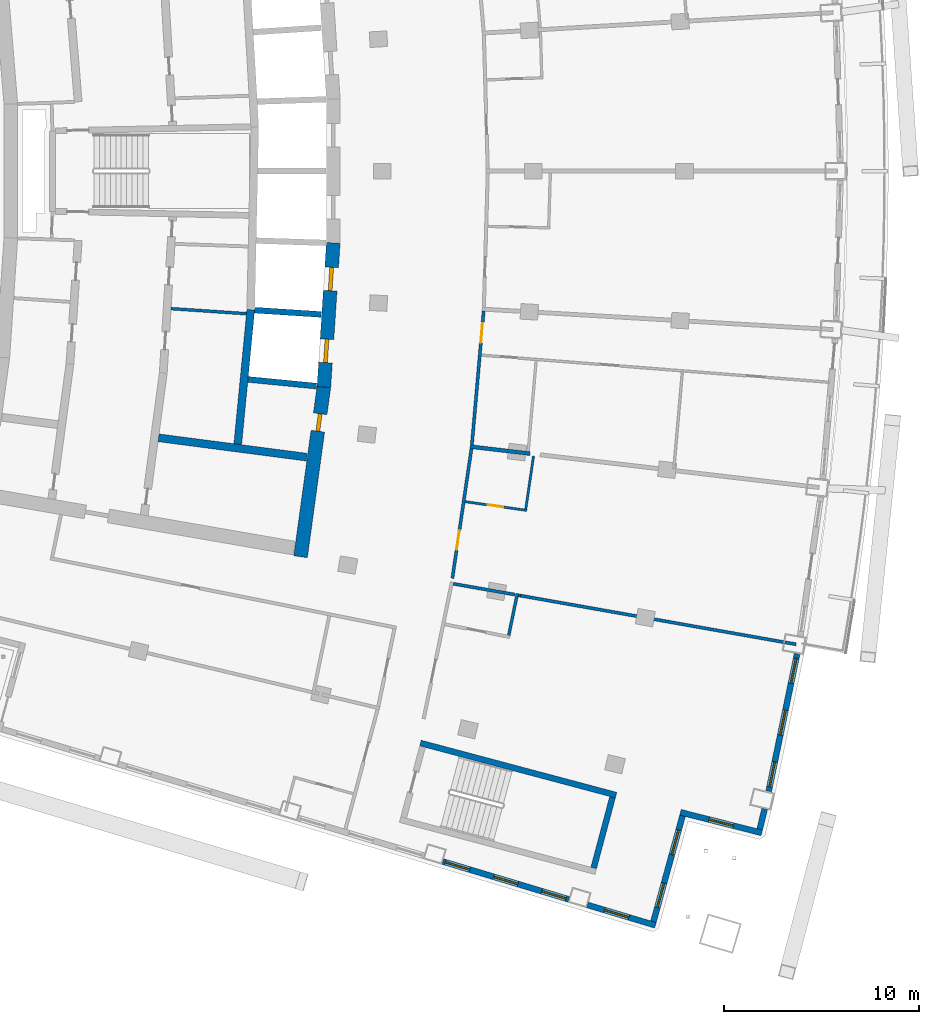
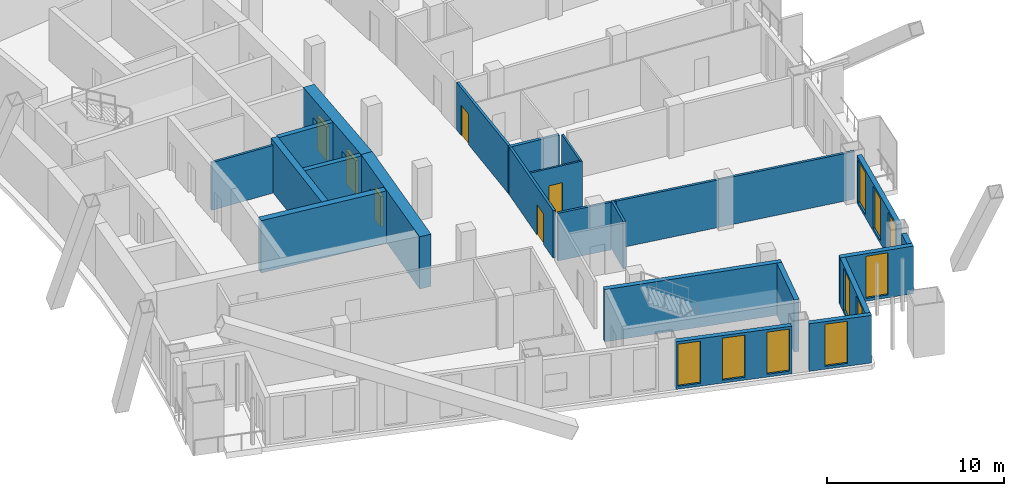
# One storey, part 11 of 19: 24 walls, 10 windows, 6 doors, 16 openings.
"""IFC4 building model written with IfcOpenShell, lengths in metres."""

from ifc_helpers import new_model, si_unit, direction, frame, frame_2d, origin, place, context, subcontext, project, spatial, rectangle, extrude, material, layer, layer_set, type_object, element, fill, save


model = new_model("IFC4")

# Units and contexts
model_context = context("Model", 3, precision=1e-05, world=origin(), true_north=direction((0.0, 1.0)))
body_context = subcontext(model_context, "Body", "Model", "MODEL_VIEW")
ifc_project = project(units=[si_unit("LENGTHUNIT", "METRE"), si_unit("AREAUNIT", "SQUARE_METRE"), si_unit("VOLUMEUNIT", "CUBIC_METRE"), si_unit("PLANEANGLEUNIT", "RADIAN"), si_unit("MASSUNIT", "GRAM", prefix="KILO")], contexts=[model_context])

# Site, building, storey
site_placement = place(None, origin())
site = spatial("IfcSite", under=ifc_project, at=site_placement, CompositionType="ELEMENT")
building_placement = place(site_placement, origin())
building = spatial("IfcBuilding", under=site, at=building_placement, Name="Alderwake Tower", CompositionType="ELEMENT")
storey_placement = place(building_placement, frame((0.0, 0.0, 171.199951171875)))
storey = spatial("IfcBuildingStorey", under=building, at=storey_placement, Name="L42", CompositionType="ELEMENT", Elevation=171.199951171875)

# Wall
ifc_material_1 = material(Name="Gypsum shaft wall system, rated")
ifc_layer_1 = layer(ifc_material_1, 0.14990234375)
ifc_layer_set_1 = layer_set([ifc_layer_1], Name="Core room partition 150")
wall_type_1 = type_object("IfcWallType", Name="Core room partition 150", PredefinedType="PARTITIONING", material=ifc_layer_set_1)
wall_1_placement = place(storey_placement, frame((24.990234375, 53.96142578125, 0.0), z_axis=(0.0, 0.0, 1.0), x_axis=(0.997758824467, -0.06691284031, 0.0)))
element("IfcWall", 1, at=wall_1_placement, inside=storey, type_object=wall_type_1, Name="CW/L42/PR-70_+86", PredefinedType="PARTITIONING", context=body_context, shape_type="SweptSolid", body=[
    extrude(rectangle(XDim=3.86767578125, YDim=0.14990234375, at=frame_2d((1.933837890625, 0.0))), origin(), (0.0, 0.0, 1.0), 3.280029296875),
])

# Wall, opening, door
ifc_material_2 = material(Name="Concrete C70/85", Category="concrete")
ifc_layer_2 = layer(ifc_material_2, 0.699951171875)
ifc_layer_set_2 = layer_set([ifc_layer_2], Name="Core wall outer 700 C70-85")
wall_type_2 = type_object("IfcWallType", Name="Core wall outer 700 C70-85", PredefinedType="SHEAR", material=ifc_layer_set_2)
wall_2_placement = place(storey_placement, frame((32.81298828125, 49.97412109375, 0.0), z_axis=(0.0, 0.0, 1.0), x_axis=(-0.135835706655, -0.99073137671, 0.0)))
wall_2 = element("IfcWall", 2, at=wall_2_placement, inside=storey, type_object=wall_type_2, Name="Core wall CW.012", PredefinedType="SHEAR", context=body_context, shape_type="SweptSolid", body=[
    extrude(rectangle(XDim=8.790771484375, YDim=0.699951171875, at=frame_2d((4.3955078125, 0.0))), origin(), (0.0, 0.0, 1.0), 3.60009765625),
])
opening_1_placement = place(wall_2_placement, frame((1.40478515625, 0.0, 0.0)))
opening_1 = element("IfcOpeningElement", 3, at=opening_1_placement, cuts=wall_2, Name="Opening C050", PredefinedType="OPENING", context=body_context, shape_type="SweptSolid", body=[
    extrude(rectangle(XDim=0.89990234375, YDim=2.10009765625, at=frame_2d((0.449951171875, 1.050048828125))), frame((0.0, 0.35986328125, 0.0), z_axis=(0.0, -1.0, 0.0), x_axis=(1.0, 0.0, 0.0)), (0.0, 0.0, 1.0), 0.719970703125),
])
ifc_material_3 = material(Name="Painted steel leaf", Category="steel")
door_type_1 = type_object("IfcDoorType", Name="Core room door 900", OperationType="SINGLE_SWING_LEFT", PredefinedType="DOOR", material=ifc_material_3)
door_1_placement = place(opening_1_placement, origin())
door_1 = element("IfcDoor", 4, at=door_1_placement, inside=storey, type_object=door_type_1, Name="Room door", OperationType="SINGLE_SWING_RIGHT", OverallHeight=2.10009765625, OverallWidth=0.89990234375, PredefinedType="DOOR", context=body_context, shape_type="SweptSolid", body=[
    extrude(rectangle(XDim=0.89990234375, YDim=2.10009765625, at=frame_2d((0.449951171875, 1.050048828125))), frame((0.0, 0.10009765625, 0.0), z_axis=(0.0, -1.0, 0.0), x_axis=(1.0, 0.0, 0.0)), (0.0, 0.0, 1.0), 0.199951171875),
])
fill(opening_1, door_1)

# Wall, openings, doors
wall_3_placement = place(storey_placement, frame((32.810302734375, 49.9482421875, 0.0), z_axis=(0.0, 0.0, 1.0), x_axis=(0.065009096017, 0.99788467141, 0.0)))
wall_3 = element("IfcWall", 5, at=wall_3_placement, inside=storey, type_object=wall_type_2, Name="Core wall CW.011", PredefinedType="SHEAR", context=body_context, shape_type="SweptSolid", body=[
    extrude(rectangle(XDim=7.39453125, YDim=0.699951171875, at=frame_2d((3.697265625, 0.0))), origin(), (0.0, 0.0, 1.0), 3.60009765625),
])
opening_2_placement = place(wall_3_placement, frame((1.255126953125, 0.0, 0.0)))
opening_2 = element("IfcOpeningElement", 6, at=opening_2_placement, cuts=wall_3, Name="Opening LD-HP1", PredefinedType="OPENING", context=body_context, shape_type="SweptSolid", body=[
    extrude(rectangle(XDim=1.199951171875, YDim=2.300048828125, at=frame_2d((0.60009765625, 1.14990234375))), frame((0.0, 0.35986328125, 0.0), z_axis=(0.0, -1.0, 0.0), x_axis=(1.0, 0.0, 0.0)), (0.0, 0.0, 1.0), 0.719970703125),
])
opening_3_placement = place(wall_3_placement, frame((4.9404296875, 0.0, 0.0)))
opening_3 = element("IfcOpeningElement", 7, at=opening_3_placement, cuts=wall_3, Name="Opening LD-HP2", PredefinedType="OPENING", context=body_context, shape_type="SweptSolid", body=[
    extrude(rectangle(XDim=1.199951171875, YDim=2.300048828125, at=frame_2d((0.60009765625, 1.14990234375))), frame((0.0, 0.35986328125, 0.0), z_axis=(0.0, -1.0, 0.0), x_axis=(1.0, 0.0, 0.0)), (0.0, 0.0, 1.0), 0.719970703125),
])
ifc_material_4 = material(Name="Stainless steel sliding leaf", Category="steel")
door_type_2 = type_object("IfcDoorType", Name="Lift landing door 1200", OperationType="SLIDING_TO_LEFT", PredefinedType="DOOR", material=ifc_material_4)
door_2_placement = place(opening_2_placement, origin())
door_2 = element("IfcDoor", 8, at=door_2_placement, inside=storey, type_object=door_type_2, Name="Lift landing door HP1", OperationType="SLIDING_TO_LEFT", OverallHeight=2.300048828125, OverallWidth=1.199951171875, PredefinedType="DOOR", context=body_context, shape_type="SweptSolid", body=[
    extrude(rectangle(XDim=1.199951171875, YDim=2.300048828125, at=frame_2d((0.60009765625, 1.14990234375))), frame((0.0, 0.10009765625, 0.0), z_axis=(0.0, -1.0, 0.0), x_axis=(1.0, 0.0, 0.0)), (0.0, 0.0, 1.0), 0.199951171875),
])
fill(opening_2, door_2)
door_3_placement = place(opening_3_placement, origin())
door_3 = element("IfcDoor", 9, at=door_3_placement, inside=storey, type_object=door_type_2, Name="Lift landing door HP2", OperationType="SLIDING_TO_LEFT", OverallHeight=2.300048828125, OverallWidth=1.199951171875, PredefinedType="DOOR", context=body_context, shape_type="SweptSolid", body=[
    extrude(rectangle(XDim=1.199951171875, YDim=2.300048828125, at=frame_2d((0.60009765625, 1.14990234375))), frame((0.0, 0.10009765625, 0.0), z_axis=(0.0, -1.0, 0.0), x_axis=(1.0, 0.0, 0.0)), (0.0, 0.0, 1.0), 0.199951171875),
])
fill(opening_3, door_3)

# Walls
ifc_material_5 = material(Name="Concrete C70/85", Category="concrete")
ifc_layer_3 = layer(ifc_material_5, 0.300048828125)
ifc_layer_set_3 = layer_set([ifc_layer_3], Name="Core wall shaft 300 C70-85")
wall_type_3 = type_object("IfcWallType", Name="Core wall shaft 300 C70-85", PredefinedType="SHEAR", material=ifc_layer_set_3)
wall_4_placement = place(storey_placement, frame((28.92529296875, 50.341552734375, 0.0), z_axis=(0.0, 0.0, 1.0), x_axis=(0.995245524877, -0.097397870674, 0.0)))
element("IfcWall", 10, at=wall_4_placement, inside=storey, type_object=wall_type_3, Name="Core wall CW.064", PredefinedType="SHEAR", context=body_context, shape_type="SweptSolid", body=[
    extrude(rectangle(XDim=3.5244140625, YDim=0.300048828125, at=frame_2d((1.76220703125, 0.0))), origin(), (0.0, 0.0, 1.0), 3.60009765625),
])
wall_5_placement = place(storey_placement, frame((29.268798828125, 53.884521484375, 0.0), z_axis=(0.0, 0.0, 1.0), x_axis=(0.997884450261, -0.065012490553, 0.0)))
element("IfcWall", 11, at=wall_5_placement, inside=storey, type_object=wall_type_3, Name="Core wall CW.078", PredefinedType="SHEAR", context=body_context, shape_type="SweptSolid", body=[
    extrude(rectangle(XDim=3.409912109375, YDim=0.300048828125, at=frame_2d((1.705078125, 0.0))), origin(), (0.0, 0.0, 1.0), 3.60009765625),
])
ifc_material_6 = material(Name="Concrete C70/85", Category="concrete")
ifc_layer_4 = layer(ifc_material_6, 0.39990234375)
ifc_layer_set_4 = layer_set([ifc_layer_4], Name="Core wall spine 400 C70-85")
wall_type_4 = type_object("IfcWallType", Name="Core wall spine 400 C70-85", PredefinedType="SHEAR", material=ifc_layer_set_4)
wall_6_placement = place(storey_placement, frame((28.402587890625, 47.0234375, 0.0), z_axis=(0.0, 0.0, 1.0), x_axis=(0.096500230077, 0.995332962177, 0.0)))
element("IfcWall", 12, at=wall_6_placement, inside=storey, type_object=wall_type_4, Name="Core wall CW.005", PredefinedType="SHEAR", context=body_context, shape_type="SweptSolid", body=[
    extrude(rectangle(XDim=6.914306640625, YDim=0.39990234375, at=frame_2d((3.45703125, 0.0))), origin(), (0.0, 0.0, 1.0), 3.60009765625),
])
wall_7_placement = place(storey_placement, frame((24.347900390625, 47.35205078125, 0.0), z_axis=(0.0, 0.0, 1.0), x_axis=(0.991554795689, -0.129688423329, 0.0)))
element("IfcWall", 13, at=wall_7_placement, inside=storey, type_object=wall_type_4, Name="Core wall CW.069", PredefinedType="SHEAR", context=body_context, shape_type="SweptSolid", body=[
    extrude(rectangle(XDim=7.650634765625, YDim=0.39990234375, at=frame_2d((3.8251953125, 0.0))), origin(), (0.0, 0.0, 1.0), 3.60009765625),
])
ifc_material_7 = material(Name="Concrete C70/85", Category="concrete")
ifc_layer_5 = layer(ifc_material_7, 0.300048828125)
ifc_layer_set_5 = layer_set([ifc_layer_5], Name="Core wall stair enclosure 300 C70-85")
wall_type_5 = type_object("IfcWallType", Name="Core wall stair enclosure 300 C70-85", PredefinedType="SHEAR", material=ifc_layer_set_5)
wall_8_placement = place(storey_placement, frame((37.75390625, 31.731201171875, 0.0), z_axis=(0.0, 0.0, 1.0), x_axis=(0.966309214305, -0.257383958996, 0.0)))
element("IfcWall", 14, at=wall_8_placement, inside=storey, type_object=wall_type_5, Name="Core wall CW.086", PredefinedType="SHEAR", context=body_context, shape_type="SweptSolid", body=[
    extrude(rectangle(XDim=10.360107421875, YDim=0.300048828125, at=frame_2d((5.18017578125, 0.0))), origin(), (0.0, 0.0, 1.0), 3.60009765625),
])
wall_9_placement = place(storey_placement, frame((46.6162109375, 25.334716796875, 0.0), z_axis=(0.0, 0.0, 1.0), x_axis=(0.257366821694, 0.966313778796, 0.0)))
element("IfcWall", 15, at=wall_9_placement, inside=storey, type_object=wall_type_5, Name="Core wall CW.085", PredefinedType="SHEAR", context=body_context, shape_type="SweptSolid", body=[
    extrude(rectangle(XDim=3.749755859375, YDim=0.300048828125, at=frame_2d((1.875, 0.0))), origin(), (0.0, 0.0, 1.0), 3.60009765625),
])

# Wall, opening, door
ifc_material_8 = material(Name="Gypsum board on metal studs, rated")
ifc_layer_6 = layer(ifc_material_8, 0.159912109375)
ifc_layer_set_6 = layer_set([ifc_layer_6], Name="Corridor wall 160")
wall_type_6 = type_object("IfcWallType", Name="Corridor wall 160", PredefinedType="PARTITIONING", material=ifc_layer_set_6)
wall_10_placement = place(storey_placement, frame((40.3623046875, 46.7939453125, 0.0), z_axis=(0.0, 0.0, 1.0), x_axis=(-0.145513909196, -0.989356205939, 0.0)))
wall_10 = element("IfcWall", 16, at=wall_10_placement, inside=storey, type_object=wall_type_6, Name="WL/L42/W26", PredefinedType="PARTITIONING", context=body_context, shape_type="SweptSolid", body=[
    extrude(rectangle(XDim=6.704345703125, YDim=0.159912109375, at=frame_2d((3.35205078125, 0.0))), origin(), (0.0, 0.0, 1.0), 3.280029296875),
])
opening_4_placement = place(wall_10_placement, frame((4.216552734375, 0.0, 0.0)))
opening_4 = element("IfcOpeningElement", 17, at=opening_4_placement, cuts=wall_10, Name="Opening R12-U03.1", PredefinedType="OPENING", context=body_context, shape_type="SweptSolid", body=[
    extrude(rectangle(XDim=1.0, YDim=2.10009765625, at=frame_2d((0.5, 1.050048828125))), frame((0.0, 0.08984375, 0.0), z_axis=(0.0, -1.0, 0.0), x_axis=(1.0, 0.0, 0.0)), (0.0, 0.0, 1.0), 0.179931640625),
])
ifc_material_9 = material(Name="Solid timber leaf in steel frame", Category="steel")
door_type_3 = type_object("IfcDoorType", Name="Flat entrance door 1000 fire-rated", OperationType="SINGLE_SWING_LEFT", PredefinedType="DOOR", material=ifc_material_9)
door_4_placement = place(opening_4_placement, origin())
door_4 = element("IfcDoor", 18, at=door_4_placement, inside=storey, type_object=door_type_3, Name="DR/L42/U03.1", OperationType="SINGLE_SWING_LEFT", OverallHeight=2.10009765625, OverallWidth=1.0, PredefinedType="DOOR", context=body_context, shape_type="SweptSolid", body=[
    extrude(rectangle(XDim=1.0, YDim=2.10009765625, at=frame_2d((0.5, 1.050048828125))), frame((0.0, 0.02490234375, 0.0), z_axis=(0.0, -1.0, 0.0), x_axis=(1.0, 0.0, 0.0)), (0.0, 0.0, 1.0), 0.050048828125),
])
fill(opening_4, door_4)

wall_11_placement = place(storey_placement, frame((40.986328125, 53.834228515625, 0.0), z_axis=(0.0, 0.0, 1.0), x_axis=(-0.087448731147, -0.996169021512, 0.0)))
wall_11 = element("IfcWall", 19, at=wall_11_placement, inside=storey, type_object=wall_type_6, Name="WL/L42/W28", PredefinedType="PARTITIONING", context=body_context, shape_type="SweptSolid", body=[
    extrude(rectangle(XDim=6.867919921875, YDim=0.159912109375, at=frame_2d((3.43408203125, 0.0))), origin(), (0.0, 0.0, 1.0), 3.280029296875),
])
opening_5_placement = place(wall_11_placement, frame((0.628173828125, 0.0, 0.0)))
opening_5 = element("IfcOpeningElement", 20, at=opening_5_placement, cuts=wall_11, Name="Opening R12-U04.2", PredefinedType="OPENING", context=body_context, shape_type="SweptSolid", body=[
    extrude(rectangle(XDim=1.0, YDim=2.10009765625, at=frame_2d((0.5, 1.050048828125))), frame((0.0, 0.08984375, 0.0), z_axis=(0.0, -1.0, 0.0), x_axis=(1.0, 0.0, 0.0)), (0.0, 0.0, 1.0), 0.179931640625),
])
door_5_placement = place(opening_5_placement, origin())
door_5 = element("IfcDoor", 21, at=door_5_placement, inside=storey, type_object=door_type_3, Name="DR/L42/U04.2", OperationType="SINGLE_SWING_LEFT", OverallHeight=2.10009765625, OverallWidth=1.0, PredefinedType="DOOR", context=body_context, shape_type="SweptSolid", body=[
    extrude(rectangle(XDim=1.0, YDim=2.10009765625, at=frame_2d((0.5, 1.050048828125))), frame((0.0, 0.02490234375, 0.0), z_axis=(0.0, -1.0, 0.0), x_axis=(1.0, 0.0, 0.0)), (0.0, 0.0, 1.0), 0.050048828125),
])
fill(opening_5, door_5)

# Walls
wall_12_placement = place(storey_placement, frame((42.579833984375, 39.328125, 0.0), z_axis=(0.0, 0.0, 1.0), x_axis=(-0.984863294771, 0.173332889587, 0.0)))
element("IfcWall", 22, at=wall_12_placement, inside=storey, type_object=wall_type_6, Name="WL/L42/W33", PredefinedType="PARTITIONING", context=body_context, shape_type="SweptSolid", body=[
    extrude(rectangle(XDim=3.201416015625, YDim=0.159912109375, at=frame_2d((1.6005859375, 0.0))), origin(), (0.0, 0.0, 1.0), 3.280029296875),
])
wall_13_placement = place(storey_placement, frame((42.8779296875, 39.2724609375, 0.0), z_axis=(0.0, 0.0, 1.0), x_axis=(-0.983295875598, 0.18201434293, 0.0)))
element("IfcWall", 23, at=wall_13_placement, inside=storey, type_object=wall_type_6, Name="WL/L42/W34", PredefinedType="PARTITIONING", context=body_context, shape_type="SweptSolid", body=[
    extrude(rectangle(XDim=0.11669921875, YDim=0.159912109375, at=frame_2d((0.058349609375, 0.0))), origin(), (0.0, 0.0, 1.0), 3.280029296875),
])
wall_14_placement = place(storey_placement, frame((56.97607421875, 36.782958984375, 0.0), z_axis=(0.0, 0.0, 1.0), x_axis=(-0.984749571154, 0.173977820748, 0.0)))
element("IfcWall", 24, at=wall_14_placement, inside=storey, type_object=wall_type_6, Name="WL/L42/W35", PredefinedType="PARTITIONING", context=body_context, shape_type="SweptSolid", body=[
    extrude(rectangle(XDim=14.326171875, YDim=0.159912109375, at=frame_2d((7.1630859375, 0.0))), origin(), (0.0, 0.0, 1.0), 3.280029296875),
])
ifc_material_10 = material(Name="Precast concrete C50/60 spandrel panel", Category="concrete")
ifc_layer_7 = layer(ifc_material_10, 0.300048828125)
ifc_layer_set_7 = layer_set([ifc_layer_7], Name="External wall EW1 Precast concrete C50/60 spandrel")
wall_type_7 = type_object("IfcWallType", Name="External wall EW1 Precast concrete C50/60 spandrel", PredefinedType="SOLIDWALL", material=ifc_layer_set_7)
wall_15_placement = place(storey_placement, frame((55.11181640625, 27.31591796875, 0.0), z_axis=(0.0, 0.0, 1.0), x_axis=(0.238310475887, 0.971189022324, 0.0)))
element("IfcWall", 25, at=wall_15_placement, inside=storey, type_object=wall_type_7, Name="External wall 11", PredefinedType="SOLIDWALL", context=body_context, shape_type="SweptSolid", body=[
    extrude(rectangle(XDim=1.07470703125, YDim=0.300048828125, at=frame_2d((0.537353515625, 0.0))), origin(), (0.0, 0.0, 1.0), 3.280029296875),
])

# Wall, openings, windows
wall_16_placement = place(storey_placement, frame((55.572509765625, 29.265625, 0.0), z_axis=(0.0, 0.0, 1.0), x_axis=(0.202713609839, 0.979238067268, 0.0)))
wall_16 = element("IfcWall", 26, at=wall_16_placement, inside=storey, type_object=wall_type_7, Name="External wall 12", PredefinedType="SOLIDWALL", context=body_context, shape_type="SweptSolid", body=[
    extrude(rectangle(XDim=7.175537109375, YDim=0.300048828125, at=frame_2d((3.587890625, 0.0))), origin(), (0.0, 0.0, 1.0), 3.280029296875),
])
opening_6_placement = place(wall_16_placement, frame((0.2353515625, 0.0, 0.199951171875)))
opening_6 = element("IfcOpeningElement", 27, at=opening_6_placement, cuts=wall_16, Name="Opening W1", PredefinedType="OPENING", context=body_context, shape_type="SweptSolid", body=[
    extrude(rectangle(XDim=1.300048828125, YDim=2.89990234375, at=frame_2d((0.64990234375, 1.449951171875))), frame((0.0, 0.159912109375, 0.0), z_axis=(0.0, -1.0, 0.0), x_axis=(1.0, 0.0, 0.0)), (0.0, 0.0, 1.0), 0.320068359375),
])
opening_7_placement = place(wall_16_placement, frame((2.937744140625, 0.0, 0.199951171875)))
opening_7 = element("IfcOpeningElement", 28, at=opening_7_placement, cuts=wall_16, Name="Opening W1", PredefinedType="OPENING", context=body_context, shape_type="SweptSolid", body=[
    extrude(rectangle(XDim=1.300048828125, YDim=2.89990234375, at=frame_2d((0.64990234375, 1.449951171875))), frame((0.0, 0.159912109375, 0.0), z_axis=(0.0, -1.0, 0.0), x_axis=(1.0, 0.0, 0.0)), (0.0, 0.0, 1.0), 0.320068359375),
])
opening_8_placement = place(wall_16_placement, frame((5.64013671875, 0.0, 0.199951171875)))
opening_8 = element("IfcOpeningElement", 29, at=opening_8_placement, cuts=wall_16, Name="Opening W1", PredefinedType="OPENING", context=body_context, shape_type="SweptSolid", body=[
    extrude(rectangle(XDim=1.300048828125, YDim=2.89990234375, at=frame_2d((0.64990234375, 1.449951171875))), frame((0.0, 0.159912109375, 0.0), z_axis=(0.0, -1.0, 0.0), x_axis=(1.0, 0.0, 0.0)), (0.0, 0.0, 1.0), 0.320068359375),
])
ifc_material_11 = material(Name="Bronze tinted glass in aluminium frame", Category="aluminium")
window_type = type_object("IfcWindowType", Name="Window W1 tall fixed and vent", PartitioningType="DOUBLE_PANEL_VERTICAL", PredefinedType="WINDOW", material=ifc_material_11)
window_1_placement = place(opening_6_placement, origin())
window_1 = element("IfcWindow", 30, at=window_1_placement, inside=storey, type_object=window_type, Name="Window W1 tall fixed and vent", OverallHeight=2.89990234375, OverallWidth=1.300048828125, PartitioningType="DOUBLE_PANEL_VERTICAL", PredefinedType="WINDOW", context=body_context, shape_type="SweptSolid", body=[
    extrude(rectangle(XDim=1.300048828125, YDim=2.89990234375, at=frame_2d((0.64990234375, 1.449951171875))), frame((0.0, 0.030029296875, 0.0), z_axis=(0.0, -1.0, 0.0), x_axis=(1.0, 0.0, 0.0)), (0.0, 0.0, 1.0), 0.06005859375),
])
fill(opening_6, window_1)
window_2_placement = place(opening_7_placement, origin())
window_2 = element("IfcWindow", 31, at=window_2_placement, inside=storey, type_object=window_type, Name="Window W1 tall fixed and vent", OverallHeight=2.89990234375, OverallWidth=1.300048828125, PartitioningType="DOUBLE_PANEL_VERTICAL", PredefinedType="WINDOW", context=body_context, shape_type="SweptSolid", body=[
    extrude(rectangle(XDim=1.300048828125, YDim=2.89990234375, at=frame_2d((0.64990234375, 1.449951171875))), frame((0.0, 0.030029296875, 0.0), z_axis=(0.0, -1.0, 0.0), x_axis=(1.0, 0.0, 0.0)), (0.0, 0.0, 1.0), 0.06005859375),
])
fill(opening_7, window_2)
window_3_placement = place(opening_8_placement, origin())
window_3 = element("IfcWindow", 32, at=window_3_placement, inside=storey, type_object=window_type, Name="Window W1 tall fixed and vent", OverallHeight=2.89990234375, OverallWidth=1.300048828125, PartitioningType="DOUBLE_PANEL_VERTICAL", PredefinedType="WINDOW", context=body_context, shape_type="SweptSolid", body=[
    extrude(rectangle(XDim=1.300048828125, YDim=2.89990234375, at=frame_2d((0.64990234375, 1.449951171875))), frame((0.0, 0.030029296875, 0.0), z_axis=(0.0, -1.0, 0.0), x_axis=(1.0, 0.0, 0.0)), (0.0, 0.0, 1.0), 0.06005859375),
])
fill(opening_8, window_3)

ifc_material_12 = material(Name="Bronze metal cladding on lightweight framing")
ifc_layer_8 = layer(ifc_material_12, 0.300048828125)
ifc_layer_set_8 = layer_set([ifc_layer_8], Name="External wall EW2 bronze metal cladding")
wall_type_8 = type_object("IfcWallType", Name="External wall EW2 bronze metal cladding", PredefinedType="SOLIDWALL", material=ifc_layer_set_8)
wall_17_placement = place(storey_placement, frame((38.89599609375, 25.66943359375, 0.0), z_axis=(0.0, 0.0, 1.0), x_axis=(0.957769353605, -0.287537589359, 0.0)))
wall_17 = element("IfcWall", 33, at=wall_17_placement, inside=storey, type_object=wall_type_8, Name="External wall 7", PredefinedType="SOLIDWALL", context=body_context, shape_type="SweptSolid", body=[
    extrude(rectangle(XDim=6.729736328125, YDim=0.300048828125, at=frame_2d((3.36474609375, 0.0))), origin(), (0.0, 0.0, 1.0), 3.280029296875),
])
opening_9_placement = place(wall_17_placement, frame((0.136962890625, 0.0, 0.199951171875)))
opening_9 = element("IfcOpeningElement", 34, at=opening_9_placement, cuts=wall_17, Name="Opening W1", PredefinedType="OPENING", context=body_context, shape_type="SweptSolid", body=[
    extrude(rectangle(XDim=1.300048828125, YDim=2.89990234375, at=frame_2d((0.64990234375, 1.449951171875))), frame((0.0, 0.159912109375, 0.0), z_axis=(0.0, -1.0, 0.0), x_axis=(1.0, 0.0, 0.0)), (0.0, 0.0, 1.0), 0.320068359375),
])
opening_10_placement = place(wall_17_placement, frame((2.71484375, 0.0, 0.199951171875)))
opening_10 = element("IfcOpeningElement", 35, at=opening_10_placement, cuts=wall_17, Name="Opening W1", PredefinedType="OPENING", context=body_context, shape_type="SweptSolid", body=[
    extrude(rectangle(XDim=1.300048828125, YDim=2.89990234375, at=frame_2d((0.64990234375, 1.449951171875))), frame((0.0, 0.159912109375, 0.0), z_axis=(0.0, -1.0, 0.0), x_axis=(1.0, 0.0, 0.0)), (0.0, 0.0, 1.0), 0.320068359375),
])
opening_11_placement = place(wall_17_placement, frame((5.29248046875, 0.0, 0.199951171875)))
opening_11 = element("IfcOpeningElement", 36, at=opening_11_placement, cuts=wall_17, Name="Opening W1", PredefinedType="OPENING", context=body_context, shape_type="SweptSolid", body=[
    extrude(rectangle(XDim=1.300048828125, YDim=2.89990234375, at=frame_2d((0.64990234375, 1.449951171875))), frame((0.0, 0.159912109375, 0.0), z_axis=(0.0, -1.0, 0.0), x_axis=(1.0, 0.0, 0.0)), (0.0, 0.0, 1.0), 0.320068359375),
])
window_4_placement = place(opening_9_placement, origin())
window_4 = element("IfcWindow", 37, at=window_4_placement, inside=storey, type_object=window_type, Name="Window W1 tall fixed and vent", OverallHeight=2.89990234375, OverallWidth=1.300048828125, PartitioningType="DOUBLE_PANEL_VERTICAL", PredefinedType="WINDOW", context=body_context, shape_type="SweptSolid", body=[
    extrude(rectangle(XDim=1.300048828125, YDim=2.89990234375, at=frame_2d((0.64990234375, 1.449951171875))), frame((0.0, 0.030029296875, 0.0), z_axis=(0.0, -1.0, 0.0), x_axis=(1.0, 0.0, 0.0)), (0.0, 0.0, 1.0), 0.06005859375),
])
fill(opening_9, window_4)
window_5_placement = place(opening_10_placement, origin())
window_5 = element("IfcWindow", 38, at=window_5_placement, inside=storey, type_object=window_type, Name="Window W1 tall fixed and vent", OverallHeight=2.89990234375, OverallWidth=1.300048828125, PartitioningType="DOUBLE_PANEL_VERTICAL", PredefinedType="WINDOW", context=body_context, shape_type="SweptSolid", body=[
    extrude(rectangle(XDim=1.300048828125, YDim=2.89990234375, at=frame_2d((0.64990234375, 1.449951171875))), frame((0.0, 0.030029296875, 0.0), z_axis=(0.0, -1.0, 0.0), x_axis=(1.0, 0.0, 0.0)), (0.0, 0.0, 1.0), 0.06005859375),
])
fill(opening_10, window_5)
window_6_placement = place(opening_11_placement, origin())
window_6 = element("IfcWindow", 39, at=window_6_placement, inside=storey, type_object=window_type, Name="Window W1 tall fixed and vent", OverallHeight=2.89990234375, OverallWidth=1.300048828125, PartitioningType="DOUBLE_PANEL_VERTICAL", PredefinedType="WINDOW", context=body_context, shape_type="SweptSolid", body=[
    extrude(rectangle(XDim=1.300048828125, YDim=2.89990234375, at=frame_2d((0.64990234375, 1.449951171875))), frame((0.0, 0.030029296875, 0.0), z_axis=(0.0, -1.0, 0.0), x_axis=(1.0, 0.0, 0.0)), (0.0, 0.0, 1.0), 0.06005859375),
])
fill(opening_11, window_6)

# Wall, opening, window
wall_18_placement = place(storey_placement, frame((46.302734375, 23.44580078125, 0.0), z_axis=(0.0, 0.0, 1.0), x_axis=(0.957759608744, -0.287570046873, 0.0)))
wall_18 = element("IfcWall", 40, at=wall_18_placement, inside=storey, type_object=wall_type_8, Name="External wall 8", PredefinedType="SOLIDWALL", context=body_context, shape_type="SweptSolid", body=[
    extrude(rectangle(XDim=3.62939453125, YDim=0.300048828125, at=frame_2d((1.814697265625, 0.0))), origin(), (0.0, 0.0, 1.0), 3.280029296875),
])
opening_12_placement = place(wall_18_placement, frame((0.913818359375, 0.0, 0.199951171875)))
opening_12 = element("IfcOpeningElement", 41, at=opening_12_placement, cuts=wall_18, Name="Opening W1", PredefinedType="OPENING", context=body_context, shape_type="SweptSolid", body=[
    extrude(rectangle(XDim=1.300048828125, YDim=2.89990234375, at=frame_2d((0.64990234375, 1.449951171875))), frame((0.0, 0.159912109375, 0.0), z_axis=(0.0, -1.0, 0.0), x_axis=(1.0, 0.0, 0.0)), (0.0, 0.0, 1.0), 0.320068359375),
])
window_7_placement = place(opening_12_placement, origin())
window_7 = element("IfcWindow", 42, at=window_7_placement, inside=storey, type_object=window_type, Name="Window W1 tall fixed and vent", OverallHeight=2.89990234375, OverallWidth=1.300048828125, PartitioningType="DOUBLE_PANEL_VERTICAL", PredefinedType="WINDOW", context=body_context, shape_type="SweptSolid", body=[
    extrude(rectangle(XDim=1.300048828125, YDim=2.89990234375, at=frame_2d((0.64990234375, 1.449951171875))), frame((0.0, 0.030029296875, 0.0), z_axis=(0.0, -1.0, 0.0), x_axis=(1.0, 0.0, 0.0)), (0.0, 0.0, 1.0), 0.06005859375),
])
fill(opening_12, window_7)

# Wall, openings, windows
wall_19_placement = place(storey_placement, frame((49.675048828125, 22.58984375, 0.0), z_axis=(0.0, 0.0, 1.0), x_axis=(0.265102938601, 0.96422011592, 0.0)))
wall_19 = element("IfcWall", 43, at=wall_19_placement, inside=storey, type_object=wall_type_8, Name="External wall 9", PredefinedType="SOLIDWALL", context=body_context, shape_type="SweptSolid", body=[
    extrude(rectangle(XDim=5.61669921875, YDim=0.300048828125, at=frame_2d((2.808349609375, 0.0))), origin(), (0.0, 0.0, 1.0), 3.280029296875),
])
opening_13_placement = place(wall_19_placement, frame((0.754150390625, 0.0, 0.199951171875)))
opening_13 = element("IfcOpeningElement", 44, at=opening_13_placement, cuts=wall_19, Name="Opening W1", PredefinedType="OPENING", context=body_context, shape_type="SweptSolid", body=[
    extrude(rectangle(XDim=1.300048828125, YDim=2.89990234375, at=frame_2d((0.64990234375, 1.449951171875))), frame((0.0, 0.159912109375, 0.0), z_axis=(0.0, -1.0, 0.0), x_axis=(1.0, 0.0, 0.0)), (0.0, 0.0, 1.0), 0.320068359375),
])
opening_14_placement = place(wall_19_placement, frame((3.5625, 0.0, 0.199951171875)))
opening_14 = element("IfcOpeningElement", 45, at=opening_14_placement, cuts=wall_19, Name="Opening W1", PredefinedType="OPENING", context=body_context, shape_type="SweptSolid", body=[
    extrude(rectangle(XDim=1.300048828125, YDim=2.89990234375, at=frame_2d((0.64990234375, 1.449951171875))), frame((0.0, 0.159912109375, 0.0), z_axis=(0.0, -1.0, 0.0), x_axis=(1.0, 0.0, 0.0)), (0.0, 0.0, 1.0), 0.320068359375),
])
window_8_placement = place(opening_13_placement, origin())
window_8 = element("IfcWindow", 46, at=window_8_placement, inside=storey, type_object=window_type, Name="Window W1 tall fixed and vent", OverallHeight=2.89990234375, OverallWidth=1.300048828125, PartitioningType="DOUBLE_PANEL_VERTICAL", PredefinedType="WINDOW", context=body_context, shape_type="SweptSolid", body=[
    extrude(rectangle(XDim=1.300048828125, YDim=2.89990234375, at=frame_2d((0.64990234375, 1.449951171875))), frame((0.0, 0.030029296875, 0.0), z_axis=(0.0, -1.0, 0.0), x_axis=(1.0, 0.0, 0.0)), (0.0, 0.0, 1.0), 0.06005859375),
])
fill(opening_13, window_8)
window_9_placement = place(opening_14_placement, origin())
window_9 = element("IfcWindow", 47, at=window_9_placement, inside=storey, type_object=window_type, Name="Window W1 tall fixed and vent", OverallHeight=2.89990234375, OverallWidth=1.300048828125, PartitioningType="DOUBLE_PANEL_VERTICAL", PredefinedType="WINDOW", context=body_context, shape_type="SweptSolid", body=[
    extrude(rectangle(XDim=1.300048828125, YDim=2.89990234375, at=frame_2d((0.64990234375, 1.449951171875))), frame((0.0, 0.030029296875, 0.0), z_axis=(0.0, -1.0, 0.0), x_axis=(1.0, 0.0, 0.0)), (0.0, 0.0, 1.0), 0.06005859375),
])
fill(opening_14, window_9)

# Wall, opening, window
wall_20_placement = place(storey_placement, frame((51.058349609375, 28.18701171875, 0.0), z_axis=(0.0, 0.0, 1.0), x_axis=(0.969429385377, -0.245370468408, 0.0)))
wall_20 = element("IfcWall", 48, at=wall_20_placement, inside=storey, type_object=wall_type_8, Name="External wall 10", PredefinedType="SOLIDWALL", context=body_context, shape_type="SweptSolid", body=[
    extrude(rectangle(XDim=4.29443359375, YDim=0.300048828125, at=frame_2d((2.147216796875, 0.0))), origin(), (0.0, 0.0, 1.0), 3.280029296875),
])
opening_15_placement = place(wall_20_placement, frame((1.4970703125, 0.0, 0.199951171875)))
opening_15 = element("IfcOpeningElement", 49, at=opening_15_placement, cuts=wall_20, Name="Opening W1", PredefinedType="OPENING", context=body_context, shape_type="SweptSolid", body=[
    extrude(rectangle(XDim=1.300048828125, YDim=2.89990234375, at=frame_2d((0.64990234375, 1.449951171875))), frame((0.0, 0.159912109375, 0.0), z_axis=(0.0, -1.0, 0.0), x_axis=(1.0, 0.0, 0.0)), (0.0, 0.0, 1.0), 0.320068359375),
])
window_10_placement = place(opening_15_placement, origin())
window_10 = element("IfcWindow", 50, at=window_10_placement, inside=storey, type_object=window_type, Name="Window W1 tall fixed and vent", OverallHeight=2.89990234375, OverallWidth=1.300048828125, PartitioningType="DOUBLE_PANEL_VERTICAL", PredefinedType="WINDOW", context=body_context, shape_type="SweptSolid", body=[
    extrude(rectangle(XDim=1.300048828125, YDim=2.89990234375, at=frame_2d((0.64990234375, 1.449951171875))), frame((0.0, 0.030029296875, 0.0), z_axis=(0.0, -1.0, 0.0), x_axis=(1.0, 0.0, 0.0)), (0.0, 0.0, 1.0), 0.06005859375),
])
fill(opening_15, window_10)

# Walls
ifc_material_13 = material(Name="Dense block masonry wall", Category="masonry")
ifc_layer_9 = layer(ifc_material_13, 0.199951171875)
ifc_layer_set_9 = layer_set([ifc_layer_9], Name="Party wall 200")
wall_type_9 = type_object("IfcWallType", Name="Party wall 200", PredefinedType="SOLIDWALL", material=ifc_layer_set_9)
wall_21_placement = place(storey_placement, frame((43.356201171875, 46.542236328125, 0.0), z_axis=(0.0, 0.0, 1.0), x_axis=(-0.993140319253, 0.116928637524, 0.0)))
element("IfcWall", 51, at=wall_21_placement, inside=storey, type_object=wall_type_9, Name="WL/L42/W01", PredefinedType="SOLIDWALL", context=body_context, shape_type="SweptSolid", body=[
    extrude(rectangle(XDim=3.079833984375, YDim=0.199951171875, at=frame_2d((1.5400390625, 0.0))), origin(), (0.0, 0.0, 1.0), 3.280029296875),
])
ifc_material_14 = material(Name="Gypsum shaft wall system, rated")
ifc_layer_10 = layer(ifc_material_14, 0.14990234375)
ifc_layer_set_10 = layer_set([ifc_layer_10], Name="Riser and shaft wall 150")
wall_type_10 = type_object("IfcWallType", Name="Riser and shaft wall 150", PredefinedType="PARTITIONING", material=ifc_layer_set_10)
wall_22_placement = place(storey_placement, frame((42.270263671875, 37.243408203125, 0.0), z_axis=(0.0, 0.0, 1.0), x_axis=(0.202147640184, 0.979355058989, 0.0)))
element("IfcWall", 52, at=wall_22_placement, inside=storey, type_object=wall_type_10, Name="WL/L42/W12", PredefinedType="PARTITIONING", context=body_context, shape_type="SweptSolid", body=[
    extrude(rectangle(XDim=2.18603515625, YDim=0.14990234375, at=frame_2d((1.093017578125, 0.0))), origin(), (0.0, 0.0, 1.0), 3.280029296875),
])

# Wall, opening, door
ifc_material_15 = material(Name="Moisture resistant gypsum board on metal studs")
ifc_layer_11 = layer(ifc_material_15, 0.1201171875)
ifc_layer_set_11 = layer_set([ifc_layer_11], Name="Wet room partition 120")
wall_type_11 = type_object("IfcWallType", Name="Wet room partition 120", PredefinedType="PARTITIONING", material=ifc_layer_set_11)
wall_23_placement = place(storey_placement, frame((40.045166015625, 44.082763671875, 0.0), z_axis=(0.0, 0.0, 1.0), x_axis=(0.990196758728, -0.139679558288, 0.0)))
wall_23 = element("IfcWall", 53, at=wall_23_placement, inside=storey, type_object=wall_type_11, Name="WL/L42/W41", PredefinedType="PARTITIONING", context=body_context, shape_type="SweptSolid", body=[
    extrude(rectangle(XDim=3.179443359375, YDim=0.1201171875, at=frame_2d((1.58984375, 0.0))), origin(), (0.0, 0.0, 1.0), 3.280029296875),
])
opening_16_placement = place(wall_23_placement, frame((1.158935546875, 0.0, 0.0)))
opening_16 = element("IfcOpeningElement", 54, at=opening_16_placement, cuts=wall_23, Name="Opening R12-U03.2", PredefinedType="OPENING", context=body_context, shape_type="SweptSolid", body=[
    extrude(rectangle(XDim=0.800048828125, YDim=2.10009765625, at=frame_2d((0.39990234375, 1.050048828125))), frame((0.0, 0.070068359375, 0.0), z_axis=(0.0, -1.0, 0.0), x_axis=(1.0, 0.0, 0.0)), (0.0, 0.0, 1.0), 0.14013671875),
])
ifc_material_16 = material(Name="Painted timber leaf", Category="wood")
door_type_4 = type_object("IfcDoorType", Name="Bathroom door 800", OperationType="SINGLE_SWING_LEFT", PredefinedType="DOOR", material=ifc_material_16)
door_6_placement = place(opening_16_placement, origin())
door_6 = element("IfcDoor", 55, at=door_6_placement, inside=storey, type_object=door_type_4, Name="DR/L42/U03.2", OperationType="SINGLE_SWING_LEFT", OverallHeight=2.10009765625, OverallWidth=0.800048828125, PredefinedType="DOOR", context=body_context, shape_type="SweptSolid", body=[
    extrude(rectangle(XDim=0.800048828125, YDim=2.10009765625, at=frame_2d((0.39990234375, 1.050048828125))), frame((0.0, 0.02490234375, 0.0), z_axis=(0.0, -1.0, 0.0), x_axis=(1.0, 0.0, 0.0)), (0.0, 0.0, 1.0), 0.050048828125),
])
fill(opening_16, door_6)

# Wall
wall_24_placement = place(storey_placement, frame((43.142578125, 43.706298828125, 0.0), z_axis=(0.0, 0.0, 1.0), x_axis=(0.144633503259, 0.989485295361, 0.0)))
element("IfcWall", 56, at=wall_24_placement, inside=storey, type_object=wall_type_11, Name="WL/L42/W45", PredefinedType="PARTITIONING", context=body_context, shape_type="SweptSolid", body=[
    extrude(rectangle(XDim=2.74462890625, YDim=0.1201171875, at=frame_2d((1.372314453125, 0.0))), origin(), (0.0, 0.0, 1.0), 3.280029296875),
])

save(model, "model.ifc")
